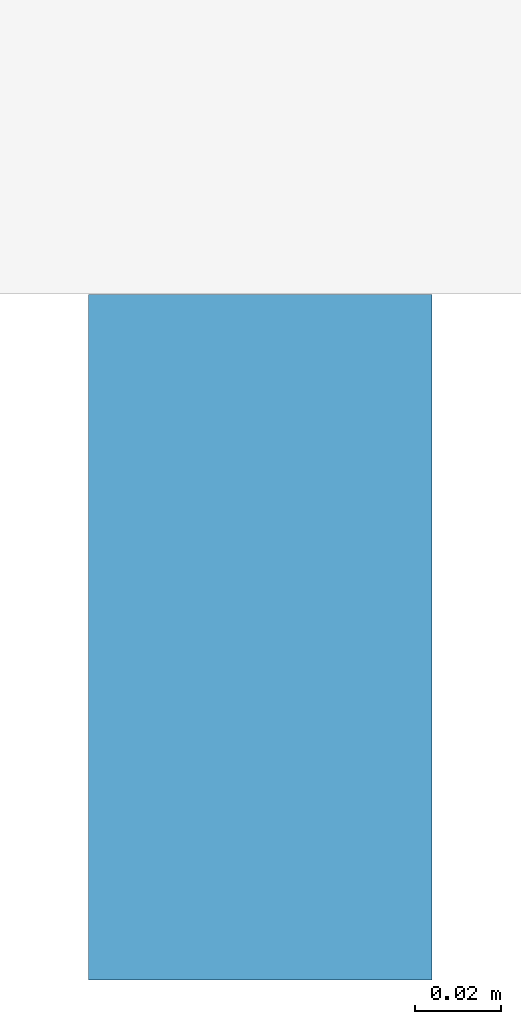
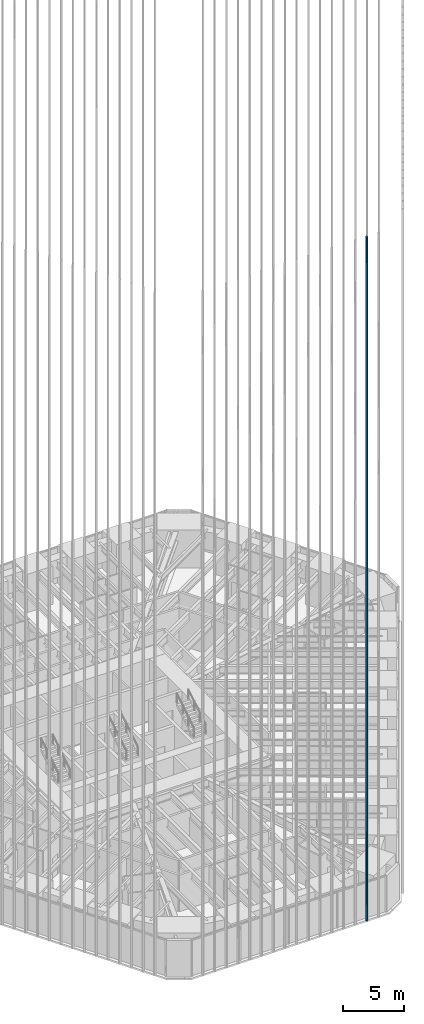
# One storey, part 76 of 256: 1 member, 1 element without a shape of its own.
"""IFC4 building model written with IfcOpenShell, lengths in metres."""

from ifc_helpers import new_model, si_unit, direction, frame, origin, origin_2d, place, context, subcontext, project, spatial, rectangle, extrude, material, material_profile, profile_set, type_object, element, aggregate, save


model = new_model("IFC4")

# Units and contexts
model_context = context("Model", 3, precision=1e-05, world=origin(), true_north=direction((0.0, 1.0)))
body_context = subcontext(model_context, "Body", "Model", "MODEL_VIEW")
ifc_project = project(units=[si_unit("LENGTHUNIT", "METRE"), si_unit("AREAUNIT", "SQUARE_METRE"), si_unit("VOLUMEUNIT", "CUBIC_METRE"), si_unit("PLANEANGLEUNIT", "RADIAN"), si_unit("MASSUNIT", "GRAM", prefix="KILO")], contexts=[model_context])

# Site, building, storey
site_placement = place(None, origin())
site = spatial("IfcSite", under=ifc_project, at=site_placement, CompositionType="ELEMENT")
building_placement = place(site_placement, origin())
building = spatial("IfcBuilding", under=site, at=building_placement, Name="Sandreach Pilgrim Tower", CompositionType="ELEMENT")
storey_placement = place(building_placement, frame((0.0, 0.0, 23.0)))
storey = spatial("IfcBuildingStorey", under=building, at=storey_placement, Name="L04", CompositionType="ELEMENT", Elevation=23.0)

# Curtain wall, member
ifc_material_1 = material(Name="Aluminium framed curtain wall", Category="aluminium")
curtain_wall_type = type_object("IfcCurtainWallType", Name="Hostel tower curtain wall", PredefinedType="NOTDEFINED", material=ifc_material_1)
curtain_wall_placement = place(storey_placement, origin())
curtain_wall = element("IfcCurtainWall", 1, at=curtain_wall_placement, inside=storey, type_object=curtain_wall_type, Name="CW-1 L04 S", PredefinedType="NOTDEFINED")
ifc_material_2 = material(Name="Extruded terracotta on aluminium core", Category="masonry")
ifc_material_profile = material_profile(ifc_material_2, rectangle(XDim=0.080078125, YDim=0.159912109375, at=origin_2d()), Name="TBS 80X160")
ifc_profile_set = profile_set([ifc_material_profile], Name="Extruded terracotta on aluminium core")
member_type = type_object("IfcMemberType", Name="Terracotta baguette south", PredefinedType="USERDEFINED", material=ifc_profile_set)
member_placement = place(storey_placement, frame((7.181640625, -30.390869140625, 0.0), z_axis=(0.0, 0.0, 1.0), x_axis=(-1.0, 0.0, 0.0)))
member = element("IfcMember", 2, at=member_placement, type_object=member_type, Name="Baguette Z1 S02", ObjectType="BAGUETTE", PredefinedType="USERDEFINED", context=body_context, shape_type="SweptSolid", body=[
    extrude(rectangle(XDim=0.080078125, YDim=0.159912109375, at=origin_2d()), origin(), (0.0, 0.0, 1.0), 68.239990234375),
])
aggregate(curtain_wall, [member])

save(model, "model.ifc")
